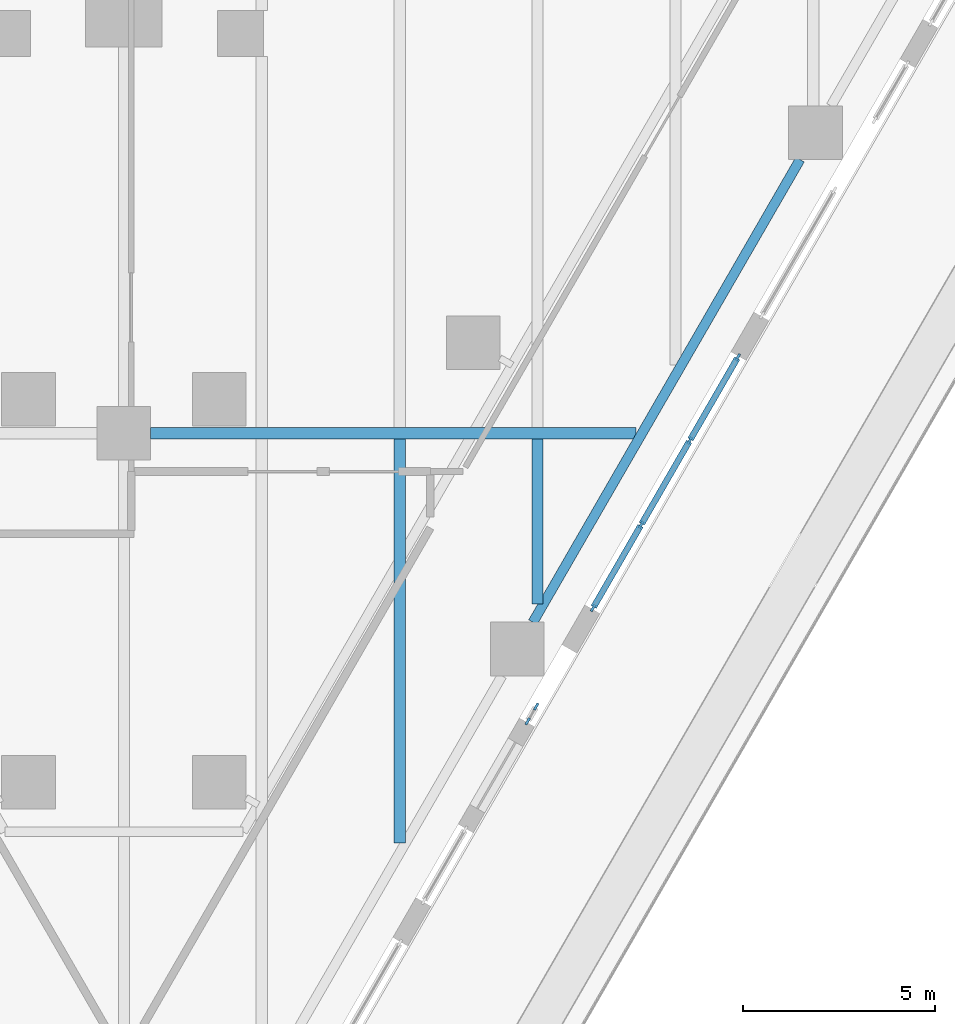
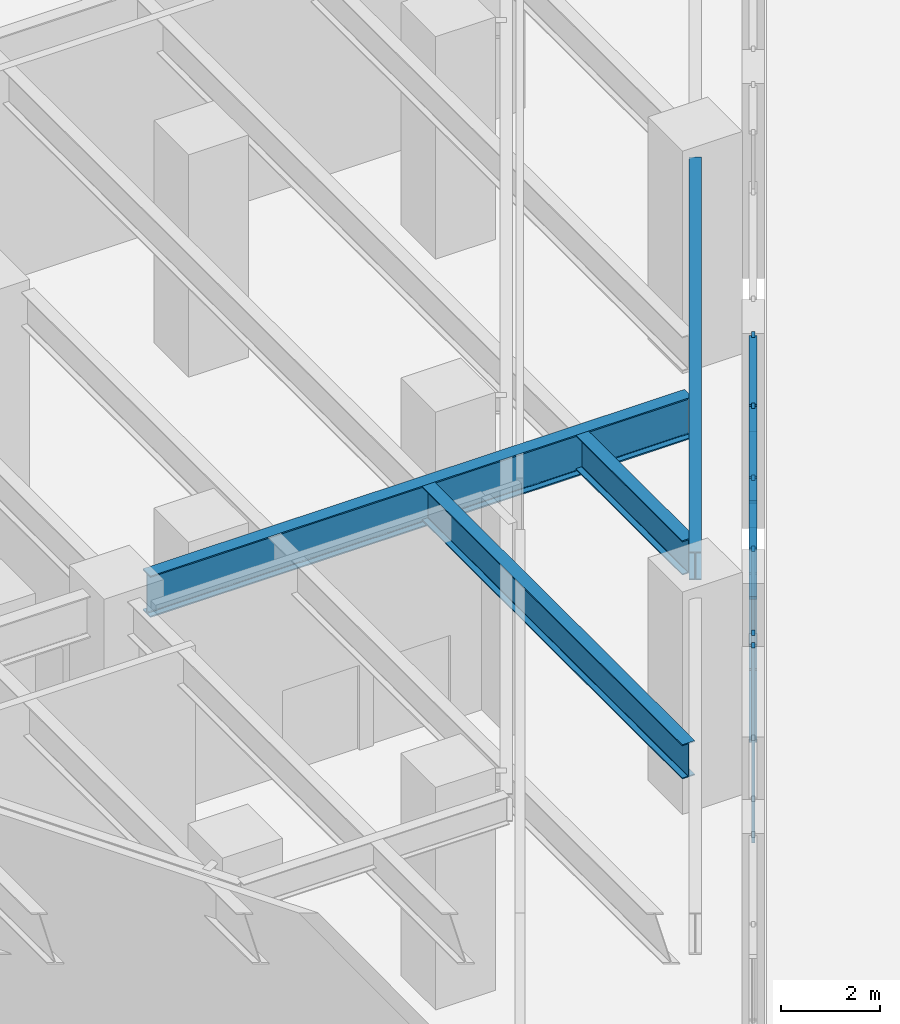
# One storey, part 3 of 30: 15 members, 4 beams, 2 elements without a shape of their own.
"""IFC4 building model written with IfcOpenShell, lengths in metres."""

from ifc_helpers import new_model, si_unit, direction, frame, origin, origin_2d, place, context, subcontext, project, spatial, rectangle, i_section, extrude, material, material_profile, profile_set, type_object, element, aggregate, save


model = new_model("IFC4")

# Units and contexts
model_context = context("Model", 3, precision=1e-05, world=origin(), true_north=direction((0.0, 1.0)))
body_context = subcontext(model_context, "Body", "Model", "MODEL_VIEW")
ifc_project = project(units=[si_unit("LENGTHUNIT", "METRE"), si_unit("AREAUNIT", "SQUARE_METRE"), si_unit("VOLUMEUNIT", "CUBIC_METRE"), si_unit("PLANEANGLEUNIT", "RADIAN"), si_unit("MASSUNIT", "GRAM", prefix="KILO")], contexts=[model_context])

# Site, building, storey
site_placement = place(None, origin())
site = spatial("IfcSite", under=ifc_project, at=site_placement, CompositionType="ELEMENT")
building_placement = place(site_placement, origin())
building = spatial("IfcBuilding", under=site, at=building_placement, Name="Aloe Facet Convention Tower", CompositionType="ELEMENT")
storey_placement = place(building_placement, frame((0.0, 0.0, 19.5)))
storey = spatial("IfcBuildingStorey", under=building, at=storey_placement, Name="L03", CompositionType="ELEMENT", Elevation=19.5)

# Curtain wall, members
ifc_material_1 = material(Name="Aluminium, anodised", Category="aluminium")
curtain_wall_type = type_object("IfcCurtainWallType", Name="EV-CW-HALL", PredefinedType="USERDEFINED", material=ifc_material_1)
curtain_wall_1_placement = place(storey_placement, origin())
curtain_wall_1 = element("IfcCurtainWall", 1, at=curtain_wall_1_placement, inside=storey, type_object=curtain_wall_type, Name="CW-L03-E04B", ObjectType="UNITISED HALL GLAZING", PredefinedType="USERDEFINED")
ifc_material_2 = material(Name="Aluminium, anodised", Category="aluminium")
ifc_material_profile_1 = material_profile(ifc_material_2, rectangle(XDim=0.06494140625, YDim=0.199951171875, at=origin_2d()), Name="AL 65x200")
ifc_profile_set_1 = profile_set([ifc_material_profile_1], Name="Aluminium, anodised")
member_type_1 = type_object("IfcMemberType", Name="EV-MULL-HALL", PredefinedType="MULLION", material=ifc_profile_set_1)
member_1_placement = place(storey_placement, frame((90.54150390625, 73.47900390625, -0.25), z_axis=(0.0, 0.0, 1.0), x_axis=(-0.866025403549, 0.500000000408, 0.0)))
member_1 = element("IfcMember", 2, at=member_1_placement, type_object=member_type_1, Name="CW-L03-E04B mullion 1", PredefinedType="MULLION", context=body_context, shape_type="SweptSolid", body=[
    extrude(rectangle(XDim=0.06494140625, YDim=0.199951171875, at=origin_2d()), origin(), (0.0, 0.0, 1.0), 4.8125),
])
member_2_placement = place(storey_placement, frame((90.76318359375, 73.863037109375, -0.25), z_axis=(0.0, 0.0, 1.0), x_axis=(-0.866025403549, 0.500000000408, 0.0)))
member_2 = element("IfcMember", 3, at=member_2_placement, type_object=member_type_1, Name="CW-L03-E04B mullion 2", PredefinedType="MULLION", context=body_context, shape_type="SweptSolid", body=[
    extrude(rectangle(XDim=0.06494140625, YDim=0.199951171875, at=origin_2d()), origin(), (0.0, 0.0, 1.0), 4.8125),
])
aggregate(curtain_wall_1, [member_1, member_2])

curtain_wall_2_placement = place(storey_placement, origin())
curtain_wall_2 = element("IfcCurtainWall", 4, at=curtain_wall_2_placement, inside=storey, type_object=curtain_wall_type, Name="CW-L03-E06", ObjectType="UNITISED HALL GLAZING", PredefinedType="USERDEFINED")
member_3_placement = place(storey_placement, frame((92.248291015625, 76.43505859375, -0.25), z_axis=(0.0, 0.0, 1.0), x_axis=(-0.866025403802, 0.49999999997, 0.0)))
member_3 = element("IfcMember", 5, at=member_3_placement, type_object=member_type_1, Name="CW-L03-E06 mullion 1", PredefinedType="MULLION", context=body_context, shape_type="SweptSolid", body=[
    extrude(rectangle(XDim=0.06494140625, YDim=0.199951171875, at=origin_2d()), origin(), (0.0, 0.0, 1.0), 4.8125),
])
member_4_placement = place(storey_placement, frame((93.503173828125, 78.6083984375, -0.25), z_axis=(0.0, 0.0, 1.0), x_axis=(-0.866025403802, 0.49999999997, 0.0)))
member_4 = element("IfcMember", 6, at=member_4_placement, type_object=member_type_1, Name="CW-L03-E06 mullion 2", PredefinedType="MULLION", context=body_context, shape_type="SweptSolid", body=[
    extrude(rectangle(XDim=0.06494140625, YDim=0.199951171875, at=origin_2d()), origin(), (0.0, 0.0, 1.0), 4.8125),
])
member_5_placement = place(storey_placement, frame((94.774169921875, 80.81005859375, -0.25), z_axis=(0.0, 0.0, 1.0), x_axis=(-0.866025403802, 0.49999999997, 0.0)))
member_5 = element("IfcMember", 7, at=member_5_placement, type_object=member_type_1, Name="CW-L03-E06 mullion 3", PredefinedType="MULLION", context=body_context, shape_type="SweptSolid", body=[
    extrude(rectangle(XDim=0.06494140625, YDim=0.199951171875, at=origin_2d()), origin(), (0.0, 0.0, 1.0), 4.8125),
])
member_6_placement = place(storey_placement, frame((96.029052734375, 82.983642578125, -0.25), z_axis=(0.0, 0.0, 1.0), x_axis=(-0.866025403802, 0.49999999997, 0.0)))
member_6 = element("IfcMember", 8, at=member_6_placement, type_object=member_type_1, Name="CW-L03-E06 mullion 4", PredefinedType="MULLION", context=body_context, shape_type="SweptSolid", body=[
    extrude(rectangle(XDim=0.06494140625, YDim=0.199951171875, at=origin_2d()), origin(), (0.0, 0.0, 1.0), 4.8125),
])
ifc_material_3 = material(Name="Aluminium, anodised", Category="aluminium")
ifc_material_profile_2 = material_profile(ifc_material_3, rectangle(XDim=0.159912109375, YDim=0.06494140625, at=origin_2d()), Name="AL 160x65")
ifc_profile_set_2 = profile_set([ifc_material_profile_2], Name="Aluminium, anodised")
member_type_2 = type_object("IfcMemberType", Name="EV-TRAN-HALL", PredefinedType="USERDEFINED", material=ifc_profile_set_2)
member_7_placement = place(storey_placement, frame((92.264404296875, 76.463134765625, -0.217529296875), z_axis=(0.500016362458, 0.866015956709, 0.0), x_axis=(-0.866015956709, 0.500016362458, 0.0)))
member_7 = element("IfcMember", 9, at=member_7_placement, type_object=member_type_2, Name="CW-L03-E06 transom 1.1", ObjectType="TRANSOM", PredefinedType="USERDEFINED", context=body_context, shape_type="SweptSolid", body=[
    extrude(rectangle(XDim=0.159912109375, YDim=0.06494140625, at=origin_2d()), origin(), (0.0, 0.0, 1.0), 2.44482421875),
])
member_8_placement = place(storey_placement, frame((92.264404296875, 76.463134765625, 2.15625), z_axis=(0.500016362458, 0.866015956709, 0.0), x_axis=(-0.866015956709, 0.500016362458, 0.0)))
member_8 = element("IfcMember", 10, at=member_8_placement, type_object=member_type_2, Name="CW-L03-E06 transom 1.2", ObjectType="TRANSOM", PredefinedType="USERDEFINED", context=body_context, shape_type="SweptSolid", body=[
    extrude(rectangle(XDim=0.159912109375, YDim=0.06494140625, at=origin_2d()), origin(), (0.0, 0.0, 1.0), 2.44482421875),
])
member_9_placement = place(storey_placement, frame((92.264404296875, 76.463134765625, 4.530029296875), z_axis=(0.500016362458, 0.866015956709, 0.0), x_axis=(-0.866015956709, 0.500016362458, 0.0)))
member_9 = element("IfcMember", 11, at=member_9_placement, type_object=member_type_2, Name="CW-L03-E06 transom 1.3", ObjectType="TRANSOM", PredefinedType="USERDEFINED", context=body_context, shape_type="SweptSolid", body=[
    extrude(rectangle(XDim=0.159912109375, YDim=0.06494140625, at=origin_2d()), origin(), (0.0, 0.0, 1.0), 2.44482421875),
])
member_10_placement = place(storey_placement, frame((93.519287109375, 78.63671875, -0.217529296875), z_axis=(0.499986929959, 0.866032949645, 0.0), x_axis=(-0.866032949645, 0.499986929959, 0.0)))
member_10 = element("IfcMember", 12, at=member_10_placement, type_object=member_type_2, Name="CW-L03-E06 transom 2.1", ObjectType="TRANSOM", PredefinedType="USERDEFINED", context=body_context, shape_type="SweptSolid", body=[
    extrude(rectangle(XDim=0.159912109375, YDim=0.06494140625, at=origin_2d()), origin(), (0.0, 0.0, 1.0), 2.47705078125),
])
member_11_placement = place(storey_placement, frame((93.519287109375, 78.63671875, 2.15625), z_axis=(0.499986929959, 0.866032949645, 0.0), x_axis=(-0.866032949645, 0.499986929959, 0.0)))
member_11 = element("IfcMember", 13, at=member_11_placement, type_object=member_type_2, Name="CW-L03-E06 transom 2.2", ObjectType="TRANSOM", PredefinedType="USERDEFINED", context=body_context, shape_type="SweptSolid", body=[
    extrude(rectangle(XDim=0.159912109375, YDim=0.06494140625, at=origin_2d()), origin(), (0.0, 0.0, 1.0), 2.47705078125),
])
member_12_placement = place(storey_placement, frame((93.519287109375, 78.63671875, 4.530029296875), z_axis=(0.499986929959, 0.866032949645, 0.0), x_axis=(-0.866032949645, 0.499986929959, 0.0)))
member_12 = element("IfcMember", 14, at=member_12_placement, type_object=member_type_2, Name="CW-L03-E06 transom 2.3", ObjectType="TRANSOM", PredefinedType="USERDEFINED", context=body_context, shape_type="SweptSolid", body=[
    extrude(rectangle(XDim=0.159912109375, YDim=0.06494140625, at=origin_2d()), origin(), (0.0, 0.0, 1.0), 2.47705078125),
])
member_13_placement = place(storey_placement, frame((94.79052734375, 80.83837890625, -0.217529296875), z_axis=(0.499941460885, 0.86605919872, 0.0), x_axis=(-0.86605919872, 0.499941460885, 0.0)))
member_13 = element("IfcMember", 15, at=member_13_placement, type_object=member_type_2, Name="CW-L03-E06 transom 3.1", ObjectType="TRANSOM", PredefinedType="USERDEFINED", context=body_context, shape_type="SweptSolid", body=[
    extrude(rectangle(XDim=0.159912109375, YDim=0.06494140625, at=origin_2d()), origin(), (0.0, 0.0, 1.0), 2.444580078125),
])
member_14_placement = place(storey_placement, frame((94.79052734375, 80.83837890625, 2.15625), z_axis=(0.499941460885, 0.86605919872, 0.0), x_axis=(-0.86605919872, 0.499941460885, 0.0)))
member_14 = element("IfcMember", 16, at=member_14_placement, type_object=member_type_2, Name="CW-L03-E06 transom 3.2", ObjectType="TRANSOM", PredefinedType="USERDEFINED", context=body_context, shape_type="SweptSolid", body=[
    extrude(rectangle(XDim=0.159912109375, YDim=0.06494140625, at=origin_2d()), origin(), (0.0, 0.0, 1.0), 2.444580078125),
])
member_15_placement = place(storey_placement, frame((94.79052734375, 80.83837890625, 4.530029296875), z_axis=(0.499941460885, 0.86605919872, 0.0), x_axis=(-0.86605919872, 0.499941460885, 0.0)))
member_15 = element("IfcMember", 17, at=member_15_placement, type_object=member_type_2, Name="CW-L03-E06 transom 3.3", ObjectType="TRANSOM", PredefinedType="USERDEFINED", context=body_context, shape_type="SweptSolid", body=[
    extrude(rectangle(XDim=0.159912109375, YDim=0.06494140625, at=origin_2d()), origin(), (0.0, 0.0, 1.0), 2.444580078125),
])
aggregate(curtain_wall_2, [member_3, member_4, member_5, member_6, member_7, member_8, member_9, member_10, member_11, member_12, member_13, member_14, member_15])

# Beams
ifc_material_4 = material(Name="Steel S355", Category="steel")
ifc_material_profile_3 = material_profile(ifc_material_4, i_section(OverallWidth=0.305419921875, OverallDepth=1.02587890625, WebThickness=0.02001953125, FlangeThickness=0.031005859375, FilletRadius=0.030029296875, at=origin_2d()), Name="UB 1016x305x349")
ifc_profile_set_3 = profile_set([ifc_material_profile_3], Name="Steel S355")
beam_type_1 = type_object("IfcBeamType", Name="SF-B-UB1016x305x349", PredefinedType="BEAM", material=ifc_profile_set_3)
beam_1_placement = place(storey_placement, frame((80.699951171875, 81.0, 4.737060546875), z_axis=(1.0, 0.0, 0.0), x_axis=(0.0, 1.0, 0.0)))
element("IfcBeam", 18, at=beam_1_placement, inside=storey, type_object=beam_type_1, Name="Floor beam FB-L04-029", PredefinedType="BEAM", context=body_context, shape_type="SweptSolid", body=[
    extrude(i_section(OverallWidth=0.305419921875, OverallDepth=1.02587890625, WebThickness=0.02001953125, FlangeThickness=0.031005859375, FilletRadius=0.030029296875, at=origin_2d()), origin(), (0.0, 0.0, 1.0), 12.670166015625),
])
ifc_material_5 = material(Name="Steel S355", Category="steel")
ifc_material_profile_4 = material_profile(ifc_material_5, i_section(OverallWidth=0.25439453125, OverallDepth=0.6875, WebThickness=0.01318359375, FlangeThickness=0.02099609375, FilletRadius=0.01513671875, at=origin_2d()), Name="UB 686x254x152")
ifc_profile_set_4 = profile_set([ifc_material_profile_4], Name="Steel S355")
beam_type_2 = type_object("IfcBeamType", Name="SF-B-UB686x254x152", PredefinedType="BEAM", material=ifc_profile_set_4)
beam_2_placement = place(storey_placement, frame((97.652099609375, 88.14501953125, 4.90625), z_axis=(-0.499987109246, -0.866032846137, 0.0), x_axis=(0.866032846137, -0.499987109246, 0.0)))
element("IfcBeam", 19, at=beam_2_placement, inside=storey, type_object=beam_type_2, Name="Floor beam FB-L04-014", PredefinedType="BEAM", context=body_context, shape_type="SweptSolid", body=[
    extrude(i_section(OverallWidth=0.25439453125, OverallDepth=0.6875, WebThickness=0.01318359375, FlangeThickness=0.02099609375, FilletRadius=0.01513671875, at=origin_2d()), origin(), (0.0, 0.0, 1.0), 13.947509765625),
])
ifc_material_6 = material(Name="Steel S355", Category="steel")
ifc_material_profile_5 = material_profile(ifc_material_6, i_section(OverallWidth=0.293701171875, OverallDepth=0.850830078125, WebThickness=0.01611328125, FlangeThickness=0.02685546875, FilletRadius=0.017822265625, at=origin_2d()), Name="UB 838x292x226")
ifc_profile_set_5 = profile_set([ifc_material_profile_5], Name="Steel S355")
beam_type_3 = type_object("IfcBeamType", Name="SF-B-UB838x292x226", PredefinedType="BEAM", material=ifc_profile_set_5)
beam_3_placement = place(storey_placement, frame((87.199951171875, 70.305908203125, 4.824462890625), z_axis=(0.0, 1.0, 0.0), x_axis=(-1.0, 0.0, 0.0)))
element("IfcBeam", 20, at=beam_3_placement, inside=storey, type_object=beam_type_3, Name="Floor beam FB-L04-080", PredefinedType="BEAM", context=body_context, shape_type="SweptSolid", body=[
    extrude(i_section(OverallWidth=0.293701171875, OverallDepth=0.850830078125, WebThickness=0.01611328125, FlangeThickness=0.02685546875, FilletRadius=0.017822265625, at=origin_2d()), origin(), (0.0, 0.0, 1.0), 10.54150390625),
])
beam_4_placement = place(storey_placement, frame((90.800048828125, 76.541259765625, 4.824462890625), z_axis=(0.0, 1.0, 0.0), x_axis=(-1.0, 0.0, 0.0)))
element("IfcBeam", 21, at=beam_4_placement, inside=storey, type_object=beam_type_3, Name="Floor beam FB-L04-084", PredefinedType="BEAM", context=body_context, shape_type="SweptSolid", body=[
    extrude(i_section(OverallWidth=0.293701171875, OverallDepth=0.850830078125, WebThickness=0.01611328125, FlangeThickness=0.02685546875, FilletRadius=0.017822265625, at=origin_2d()), origin(), (0.0, 0.0, 1.0), 4.30615234375),
])

save(model, "model.ifc")
